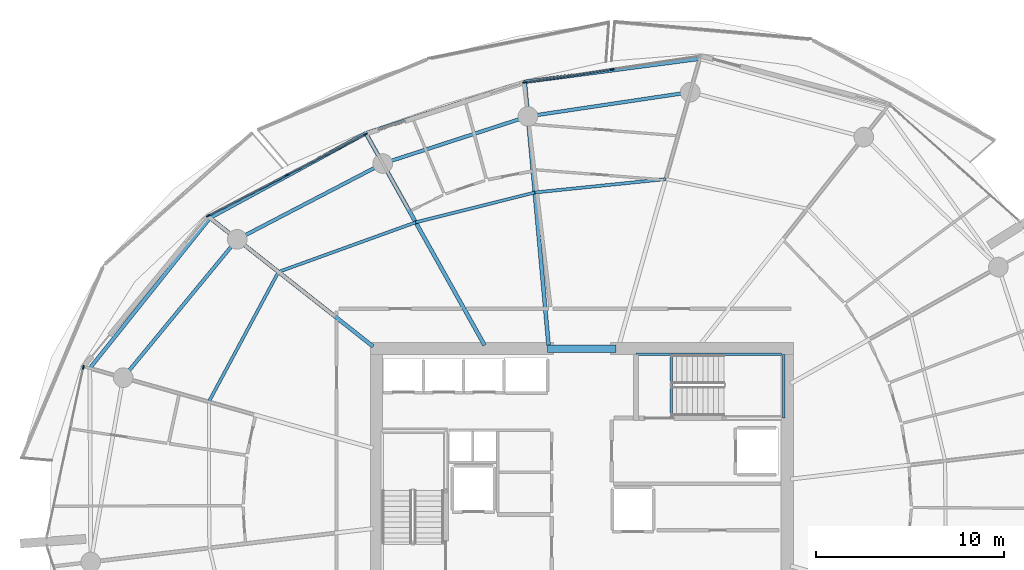
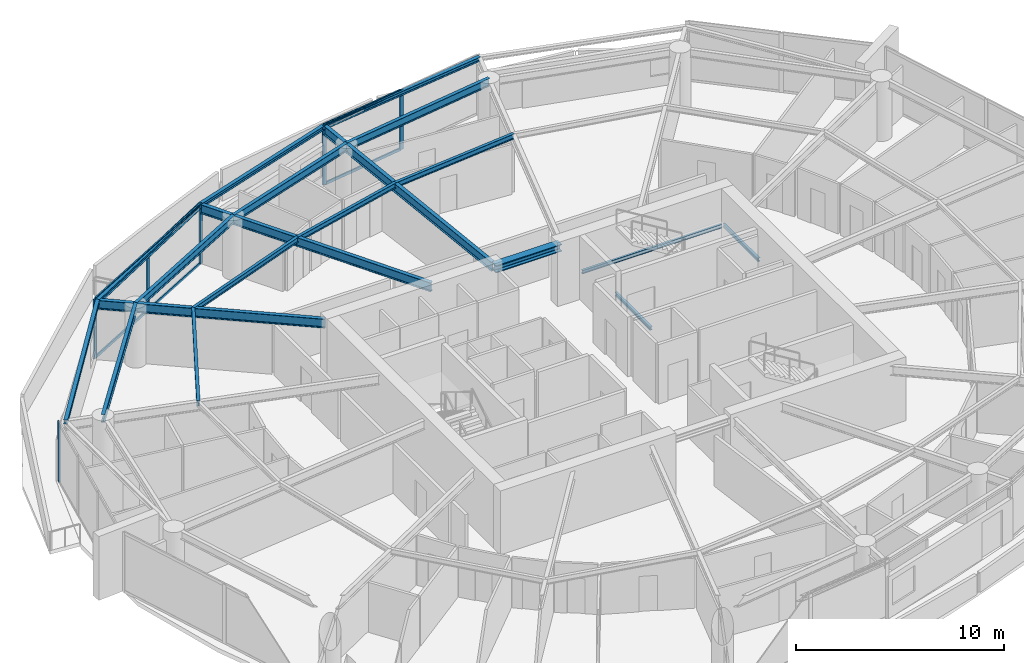
# One storey, part 8 of 20: 19 beams, 12 members, 3 elements without a shape of their own.
"""IFC4 building model written with IfcOpenShell, lengths in metres."""

from ifc_helpers import new_model, si_unit, direction, frame, origin, origin_2d, place, context, subcontext, project, spatial, rectangle, i_section, extrude, material, layer, layer_set, material_profile, profile_set, type_object, element, aggregate, save


model = new_model("IFC4")

# Units and contexts
model_context = context("Model", 3, precision=1e-05, world=origin(), true_north=direction((0.0, 1.0)))
body_context = subcontext(model_context, "Body", "Model", "MODEL_VIEW")
ifc_project = project(units=[si_unit("LENGTHUNIT", "METRE"), si_unit("AREAUNIT", "SQUARE_METRE"), si_unit("VOLUMEUNIT", "CUBIC_METRE"), si_unit("PLANEANGLEUNIT", "RADIAN"), si_unit("MASSUNIT", "GRAM", prefix="KILO")], contexts=[model_context])

# Site, building, storey
site_placement = place(None, origin())
site = spatial("IfcSite", under=ifc_project, at=site_placement, CompositionType="ELEMENT")
building_placement = place(site_placement, origin())
building = spatial("IfcBuilding", under=site, at=building_placement, Name="Kazma Halo Residences", CompositionType="ELEMENT")
storey_placement = place(building_placement, frame((0.0, 0.0, 210.300048828125)))
storey = spatial("IfcBuildingStorey", under=building, at=storey_placement, Name="L53", CompositionType="ELEMENT", Elevation=210.300048828125)

# Beams
ifc_material_1 = material(Name="Steel S355", Category="steel")
ifc_material_profile_1 = material_profile(ifc_material_1, i_section(OverallWidth=0.201904296875, OverallDepth=0.2470703125, WebThickness=0.00732421875, FlangeThickness=0.010986328125, FilletRadius=0.011962890625, at=origin_2d()), Name="W250x49.1")
ifc_profile_set_1 = profile_set([ifc_material_profile_1], Name="Steel S355")
beam_type_1 = type_object("IfcBeamType", Name="BM-BAL-CANT", PredefinedType="BEAM", material=ifc_profile_set_1)
beam_1_placement = place(storey_placement, frame((54.70458984375, 65.772216796875, 3.37646484375), z_axis=(-0.991401891123, -0.130852169558, 0.0), x_axis=(0.130852169558, -0.991401891123, 0.0)))
element("IfcBeam", 1, at=beam_1_placement, inside=storey, type_object=beam_type_1, Name="L53 wave-balcony tie beam 03", PredefinedType="BEAM", context=body_context, shape_type="SweptSolid", body=[
    extrude(i_section(OverallWidth=0.201904296875, OverallDepth=0.2470703125, WebThickness=0.00732421875, FlangeThickness=0.010986328125, FilletRadius=0.011962890625, at=origin_2d()), origin(), (0.0, 0.0, 1.0), 9.401611328125),
])
beam_2_placement = place(storey_placement, frame((45.3837890625, 64.5419921875, 3.37646484375), z_axis=(-0.951434599458, -0.307850942753, 0.0), x_axis=(0.307850942753, -0.951434599458, 0.0)))
element("IfcBeam", 2, at=beam_2_placement, inside=storey, type_object=beam_type_1, Name="L53 wave-balcony tie beam 04", PredefinedType="BEAM", context=body_context, shape_type="SweptSolid", body=[
    extrude(i_section(OverallWidth=0.201904296875, OverallDepth=0.2470703125, WebThickness=0.00732421875, FlangeThickness=0.010986328125, FilletRadius=0.011962890625, at=origin_2d()), origin(), (0.0, 0.0, 1.0), 8.905029296875),
])
beam_3_placement = place(storey_placement, frame((36.9111328125, 61.800537109375, 3.37646484375), z_axis=(-0.878890557257, -0.477023467309, 0.0), x_axis=(0.477023467309, -0.878890557257, 0.0)))
element("IfcBeam", 3, at=beam_3_placement, inside=storey, type_object=beam_type_1, Name="L53 wave-balcony tie beam 05", PredefinedType="BEAM", context=body_context, shape_type="SweptSolid", body=[
    extrude(i_section(OverallWidth=0.201904296875, OverallDepth=0.2470703125, WebThickness=0.00732421875, FlangeThickness=0.010986328125, FilletRadius=0.011962890625, at=origin_2d()), origin(), (0.0, 0.0, 1.0), 9.452880859375),
])
beam_4_placement = place(storey_placement, frame((28.60302734375, 57.291259765625, 3.37646484375), z_axis=(-0.624195724924, -0.781268005864, 0.0), x_axis=(0.781268005864, -0.624195724924, 0.0)))
element("IfcBeam", 4, at=beam_4_placement, inside=storey, type_object=beam_type_1, Name="L53 wave-balcony tie beam 06", PredefinedType="BEAM", context=body_context, shape_type="SweptSolid", body=[
    extrude(i_section(OverallWidth=0.201904296875, OverallDepth=0.2470703125, WebThickness=0.00732421875, FlangeThickness=0.010986328125, FilletRadius=0.011962890625, at=origin_2d()), origin(), (0.0, 0.0, 1.0), 10.258544921875),
])
ifc_material_profile_2 = material_profile(ifc_material_1, i_section(OverallWidth=0.408935546875, OverallDepth=0.425048828125, WebThickness=0.03271484375, FlangeThickness=0.052490234375, FilletRadius=0.02001953125, at=origin_2d()), Name="W360x421")
ifc_profile_set_2 = profile_set([ifc_material_profile_2], Name="Steel S355")
beam_type_2 = type_object("IfcBeamType", Name="BM-CORE-W360H", PredefinedType="BEAM", material=ifc_profile_set_2)
beam_5_placement = place(storey_placement, frame((46.60009765625, 50.324951171875, 3.287353515625), z_axis=(1.0, 0.0, 0.0), x_axis=(0.0, 1.0, 0.0)))
element("IfcBeam", 5, at=beam_5_placement, inside=storey, type_object=beam_type_2, Name="L53 core coupling beam N", PredefinedType="BEAM", context=body_context, shape_type="SweptSolid", body=[
    extrude(i_section(OverallWidth=0.408935546875, OverallDepth=0.425048828125, WebThickness=0.03271484375, FlangeThickness=0.052490234375, FilletRadius=0.02001953125, at=origin_2d()), origin(), (0.0, 0.0, 1.0), 3.64990234375),
])
ifc_material_profile_3 = material_profile(ifc_material_1, i_section(OverallWidth=0.208984375, OverallDepth=0.532958984375, WebThickness=0.01025390625, FlangeThickness=0.015625, FilletRadius=0.01611328125, at=origin_2d()), Name="W530x92")
ifc_profile_set_3 = profile_set([ifc_material_profile_3], Name="Steel S355")
beam_type_3 = type_object("IfcBeamType", Name="BM-RAD-W530", PredefinedType="BEAM", material=ifc_profile_set_3)
beam_6_placement = place(storey_placement, frame((46.64990234375, 50.5, 3.2333984375), z_axis=(-0.089801911205, 0.995959646142, 0.0), x_axis=(-0.995959646142, -0.089801911205, 0.0)))
element("IfcBeam", 6, at=beam_6_placement, inside=storey, type_object=beam_type_3, Name="L53 radial floor beam 04", PredefinedType="BEAM", context=body_context, shape_type="SweptSolid", body=[
    extrude(i_section(OverallWidth=0.208984375, OverallDepth=0.532958984375, WebThickness=0.01025390625, FlangeThickness=0.015625, FilletRadius=0.01611328125, at=origin_2d()), origin(), (0.0, 0.0, 1.0), 14.098876953125),
])
beam_7_placement = place(storey_placement, frame((43.23974609375, 50.5, 3.2333984375), z_axis=(-0.488621736368, 0.872495729931, 0.0), x_axis=(-0.872495729931, -0.488621736368, 0.0)))
element("IfcBeam", 7, at=beam_7_placement, inside=storey, type_object=beam_type_3, Name="L53 radial floor beam 05", PredefinedType="BEAM", context=body_context, shape_type="SweptSolid", body=[
    extrude(i_section(OverallWidth=0.208984375, OverallDepth=0.532958984375, WebThickness=0.01025390625, FlangeThickness=0.015625, FilletRadius=0.01611328125, at=origin_2d()), origin(), (0.0, 0.0, 1.0), 12.951904296875),
])
beam_8_placement = place(storey_placement, frame((37.300048828125, 50.435302734375, 3.2333984375), z_axis=(-0.785326671572, 0.619081593102, 0.0), x_axis=(-0.619081593102, -0.785326671572, 0.0)))
element("IfcBeam", 8, at=beam_8_placement, inside=storey, type_object=beam_type_3, Name="L53 radial floor beam 06", PredefinedType="BEAM", context=body_context, shape_type="SweptSolid", body=[
    extrude(i_section(OverallWidth=0.208984375, OverallDepth=0.532958984375, WebThickness=0.01025390625, FlangeThickness=0.015625, FilletRadius=0.01611328125, at=origin_2d()), origin(), (0.0, 0.0, 1.0), 11.074462890625),
])
ifc_material_profile_4 = material_profile(ifc_material_1, i_section(OverallWidth=0.1650390625, OverallDepth=0.31005859375, WebThickness=0.005859375, FlangeThickness=0.009765625, FilletRadius=0.011962890625, at=origin_2d()), Name="W310x38.7")
ifc_profile_set_4 = profile_set([ifc_material_profile_4], Name="Steel S355")
beam_type_4 = type_object("IfcBeamType", Name="BM-SEC-W310B", PredefinedType="JOIST", material=ifc_profile_set_4)
beam_9_placement = place(storey_placement, frame((52.8955078125, 59.35791015625, 3.344970703125), z_axis=(-0.994813898595, -0.101711883088, 0.0), x_axis=(0.101711883088, -0.994813898595, 0.0)))
element("IfcBeam", 9, at=beam_9_placement, inside=storey, type_object=beam_type_4, Name="L53 circumferential floor joist 03", PredefinedType="JOIST", context=body_context, shape_type="SweptSolid", body=[
    extrude(i_section(OverallWidth=0.1650390625, OverallDepth=0.31005859375, WebThickness=0.005859375, FlangeThickness=0.009765625, FilletRadius=0.011962890625, at=origin_2d()), origin(), (0.0, 0.0, 1.0), 7.01611328125),
])
beam_10_placement = place(storey_placement, frame((45.915771484375, 58.644287109375, 3.344970703125), z_axis=(-0.970019458253, -0.243027263102, 0.0), x_axis=(0.243027263102, -0.970019458253, 0.0)))
element("IfcBeam", 10, at=beam_10_placement, inside=storey, type_object=beam_type_4, Name="L53 circumferential floor joist 04", PredefinedType="JOIST", context=body_context, shape_type="SweptSolid", body=[
    extrude(i_section(OverallWidth=0.1650390625, OverallDepth=0.31005859375, WebThickness=0.005859375, FlangeThickness=0.009765625, FilletRadius=0.011962890625, at=origin_2d()), origin(), (0.0, 0.0, 1.0), 6.542724609375),
])
beam_11_placement = place(storey_placement, frame((39.569091796875, 57.05419921875, 3.344970703125), z_axis=(-0.940484507564, -0.339836565177, 0.0), x_axis=(0.339836565177, -0.940484507564, 0.0)))
element("IfcBeam", 11, at=beam_11_placement, inside=storey, type_object=beam_type_4, Name="L53 circumferential floor joist 05", PredefinedType="JOIST", context=body_context, shape_type="SweptSolid", body=[
    extrude(i_section(OverallWidth=0.1650390625, OverallDepth=0.31005859375, WebThickness=0.005859375, FlangeThickness=0.009765625, FilletRadius=0.011962890625, at=origin_2d()), origin(), (0.0, 0.0, 1.0), 7.776123046875),
])
beam_12_placement = place(storey_placement, frame((32.255859375, 54.41162109375, 3.344970703125), z_axis=(-0.472683532566, -0.881232249774, 0.0), x_axis=(0.881232249774, -0.472683532566, 0.0)))
element("IfcBeam", 12, at=beam_12_placement, inside=storey, type_object=beam_type_4, Name="L53 circumferential floor joist 06", PredefinedType="JOIST", context=body_context, shape_type="SweptSolid", body=[
    extrude(i_section(OverallWidth=0.1650390625, OverallDepth=0.31005859375, WebThickness=0.005859375, FlangeThickness=0.009765625, FilletRadius=0.011962890625, at=origin_2d()), origin(), (0.0, 0.0, 1.0), 7.85693359375),
])
ifc_material_profile_5 = material_profile(ifc_material_1, i_section(OverallWidth=0.18994140625, OverallDepth=0.45703125, WebThickness=0.009033203125, FlangeThickness=0.014404296875, FilletRadius=0.01611328125, at=origin_2d()), Name="W460x74")
ifc_profile_set_5 = profile_set([ifc_material_profile_5], Name="Steel S355")
beam_type_5 = type_object("IfcBeamType", Name="BM-SPN-W460", PredefinedType="BEAM", material=ifc_profile_set_5)
beam_13_placement = place(storey_placement, frame((54.202392578125, 63.99169921875, 3.271484375), z_axis=(-0.98903439143, -0.147685383732, 0.0), x_axis=(0.147685383732, -0.98903439143, 0.0)))
element("IfcBeam", 13, at=beam_13_placement, inside=storey, type_object=beam_type_5, Name="L53 perimeter ring beam 03", PredefinedType="BEAM", context=body_context, shape_type="SweptSolid", body=[
    extrude(i_section(OverallWidth=0.18994140625, OverallDepth=0.45703125, WebThickness=0.009033203125, FlangeThickness=0.014404296875, FilletRadius=0.01611328125, at=origin_2d()), origin(), (0.0, 0.0, 1.0), 8.748291015625),
])
beam_14_placement = place(storey_placement, frame((45.550048828125, 62.69970703125, 3.271484375), z_axis=(-0.951048627281, -0.30904127321, 0.0), x_axis=(0.30904127321, -0.951048627281, 0.0)))
element("IfcBeam", 14, at=beam_14_placement, inside=storey, type_object=beam_type_5, Name="L53 perimeter ring beam 04", PredefinedType="BEAM", context=body_context, shape_type="SweptSolid", body=[
    extrude(i_section(OverallWidth=0.18994140625, OverallDepth=0.45703125, WebThickness=0.009033203125, FlangeThickness=0.014404296875, FilletRadius=0.01611328125, at=origin_2d()), origin(), (0.0, 0.0, 1.0), 8.133056640625),
])
beam_15_placement = place(storey_placement, frame((37.815185546875, 60.186279296875, 3.271484375), z_axis=(-0.886961243394, -0.461843861838, 0.0), x_axis=(0.461843861838, -0.886961243394, 0.0)))
element("IfcBeam", 15, at=beam_15_placement, inside=storey, type_object=beam_type_5, Name="L53 perimeter ring beam 05", PredefinedType="BEAM", context=body_context, shape_type="SweptSolid", body=[
    extrude(i_section(OverallWidth=0.18994140625, OverallDepth=0.45703125, WebThickness=0.009033203125, FlangeThickness=0.014404296875, FilletRadius=0.01611328125, at=origin_2d()), origin(), (0.0, 0.0, 1.0), 8.748046875),
])
beam_16_placement = place(storey_placement, frame((30.055908203125, 56.14599609375, 3.271484375), z_axis=(-0.63601715545, -0.771674917289, 0.0), x_axis=(0.771674917289, -0.63601715545, 0.0)))
element("IfcBeam", 16, at=beam_16_placement, inside=storey, type_object=beam_type_5, Name="L53 perimeter ring beam 06", PredefinedType="BEAM", context=body_context, shape_type="SweptSolid", body=[
    extrude(i_section(OverallWidth=0.18994140625, OverallDepth=0.45703125, WebThickness=0.009033203125, FlangeThickness=0.014404296875, FilletRadius=0.01611328125, at=origin_2d()), origin(), (0.0, 0.0, 1.0), 9.552734375),
])
ifc_material_profile_6 = material_profile(ifc_material_1, i_section(OverallWidth=0.133056640625, OverallDepth=0.20703125, WebThickness=0.005859375, FlangeThickness=0.00830078125, FilletRadius=0.010009765625, at=origin_2d()), Name="W200x26.6")
ifc_profile_set_6 = profile_set([ifc_material_profile_6], Name="Steel S355")
beam_type_6 = type_object("IfcBeamType", Name="BM-TRIM-W200", PredefinedType="BEAM", material=ifc_profile_set_6)
beam_17_placement = place(storey_placement, frame((53.199951171875, 46.6201171875, -0.360107421875), z_axis=(0.0, 1.0, 0.0), x_axis=(-1.0, 0.0, 0.0)))
element("IfcBeam", 17, at=beam_17_placement, inside=storey, type_object=beam_type_6, Name="L53 ST-02 floor landing support beam", PredefinedType="BEAM", context=body_context, shape_type="SweptSolid", body=[
    extrude(i_section(OverallWidth=0.133056640625, OverallDepth=0.20703125, WebThickness=0.005859375, FlangeThickness=0.00830078125, FilletRadius=0.010009765625, at=origin_2d()), origin(), (0.0, 0.0, 1.0), 3.3798828125),
])
beam_18_placement = place(storey_placement, frame((51.31005859375, 50.02001953125, 1.570068359375), z_axis=(1.0, 0.0, 0.0), x_axis=(0.0, 1.0, 0.0)))
element("IfcBeam", 18, at=beam_18_placement, inside=storey, type_object=beam_type_6, Name="L53 ST-02 landing north wall ledger", PredefinedType="BEAM", context=body_context, shape_type="SweptSolid", body=[
    extrude(i_section(OverallWidth=0.133056640625, OverallDepth=0.20703125, WebThickness=0.005859375, FlangeThickness=0.00830078125, FilletRadius=0.010009765625, at=origin_2d()), origin(), (0.0, 0.0, 1.0), 7.760009765625),
])
beam_19_placement = place(storey_placement, frame((59.18994140625, 46.6201171875, 1.570068359375), z_axis=(0.0, 1.0, 0.0), x_axis=(-1.0, 0.0, 0.0)))
element("IfcBeam", 19, at=beam_19_placement, inside=storey, type_object=beam_type_6, Name="L53 ST-02 landing end wall ledger", PredefinedType="BEAM", context=body_context, shape_type="SweptSolid", body=[
    extrude(i_section(OverallWidth=0.133056640625, OverallDepth=0.20703125, WebThickness=0.005859375, FlangeThickness=0.00830078125, FilletRadius=0.010009765625, at=origin_2d()), origin(), (0.0, 0.0, 1.0), 3.39990234375),
])

# Curtain wall, members
ifc_material_2 = material(Name="Aluminium AW-6063 T6 and Triple-Silver Low-E Glass", Category="aluminium")
ifc_layer = layer(ifc_material_2, 0.219970703125)
ifc_layer_set = layer_set([ifc_layer], Name="Aluminium AW-6063 T6 and Triple-Silver Low-E Glass")
curtain_wall_type = type_object("IfcCurtainWallType", Name="CW-SYS-4", PredefinedType="NOTDEFINED", material=ifc_layer_set)
curtain_wall_1_placement = place(storey_placement, origin())
curtain_wall_1 = element("IfcCurtainWall", 20, at=curtain_wall_1_placement, inside=storey, type_object=curtain_wall_type, Name="L53 unitised curtain wall B03", PredefinedType="NOTDEFINED")
ifc_material_3 = material(Name="Aluminium AW-6063 T6", Category="aluminium")
ifc_material_profile_7 = material_profile(ifc_material_3, rectangle(XDim=0.074951171875, YDim=0.219970703125, at=origin_2d()), Name="CWM-75x220")
ifc_profile_set_7 = profile_set([ifc_material_profile_7], Name="Aluminium AW-6063 T6")
member_type_1 = type_object("IfcMemberType", Name="CW-SYS-4-MUL", PredefinedType="MULLION", material=ifc_profile_set_7)
member_1_placement = place(storey_placement, frame((50.041259765625, 65.211181640625, 0.0), z_axis=(0.0, 0.0, 1.0), x_axis=(0.148772639188, -0.988871428361, 0.0)))
member_1 = element("IfcMember", 21, at=member_1_placement, type_object=member_type_1, Name="CWS-4 mullion 2", PredefinedType="MULLION", context=body_context, shape_type="SweptSolid", body=[
    extrude(rectangle(XDim=0.074951171875, YDim=0.219970703125, at=origin_2d()), origin(), (0.0, 0.0, 1.0), 3.5),
])
member_2_placement = place(storey_placement, frame((45.373779296875, 64.509033203125, 0.0), z_axis=(0.0, 0.0, 1.0), x_axis=(0.148772639188, -0.988871428361, 0.0)))
member_2 = element("IfcMember", 22, at=member_2_placement, type_object=member_type_1, Name="CWS-4 mullion 3", PredefinedType="MULLION", context=body_context, shape_type="SweptSolid", body=[
    extrude(rectangle(XDim=0.074951171875, YDim=0.219970703125, at=origin_2d()), origin(), (0.0, 0.0, 1.0), 3.5),
])

curtain_wall_2_placement = place(storey_placement, origin())
curtain_wall_2 = element("IfcCurtainWall", 23, at=curtain_wall_2_placement, inside=storey, type_object=curtain_wall_type, Name="L53 unitised curtain wall B05", PredefinedType="NOTDEFINED")
member_3_placement = place(storey_placement, frame((36.894287109375, 61.75390625, 0.0), z_axis=(0.0, 0.0, 1.0), x_axis=(0.460873851097, -0.887465657575, 0.0)))
member_3 = element("IfcMember", 24, at=member_3_placement, type_object=member_type_1, Name="CWS-4 mullion 1", PredefinedType="MULLION", context=body_context, shape_type="SweptSolid", body=[
    extrude(rectangle(XDim=0.074951171875, YDim=0.219970703125, at=origin_2d()), origin(), (0.0, 0.0, 1.0), 3.5),
])
member_4_placement = place(storey_placement, frame((32.705322265625, 59.578369140625, 0.0), z_axis=(0.0, 0.0, 1.0), x_axis=(0.460873851097, -0.887465657575, 0.0)))
member_4 = element("IfcMember", 25, at=member_4_placement, type_object=member_type_1, Name="CWS-4 mullion 2", PredefinedType="MULLION", context=body_context, shape_type="SweptSolid", body=[
    extrude(rectangle(XDim=0.074951171875, YDim=0.219970703125, at=origin_2d()), origin(), (0.0, 0.0, 1.0), 3.5),
])
member_5_placement = place(storey_placement, frame((28.5166015625, 57.403076171875, 0.0), z_axis=(0.0, 0.0, 1.0), x_axis=(0.460873851097, -0.887465657575, 0.0)))
member_5 = element("IfcMember", 26, at=member_5_placement, type_object=member_type_1, Name="CWS-4 mullion 3", PredefinedType="MULLION", context=body_context, shape_type="SweptSolid", body=[
    extrude(rectangle(XDim=0.074951171875, YDim=0.219970703125, at=origin_2d()), origin(), (0.0, 0.0, 1.0), 3.5),
])

# Curtain wall, member
curtain_wall_3_placement = place(storey_placement, origin())
curtain_wall_3 = element("IfcCurtainWall", 27, at=curtain_wall_3_placement, inside=storey, type_object=curtain_wall_type, Name="L53 unitised curtain wall B07", PredefinedType="NOTDEFINED")
member_6_placement = place(storey_placement, frame((21.8564453125, 49.334228515625, 0.0), z_axis=(0.0, 0.0, 1.0), x_axis=(0.977768017212, -0.209689543175, 0.0)))
member_6 = element("IfcMember", 28, at=member_6_placement, type_object=member_type_1, Name="CWS-4 mullion 1", PredefinedType="MULLION", context=body_context, shape_type="SweptSolid", body=[
    extrude(rectangle(XDim=0.074951171875, YDim=0.219970703125, at=origin_2d()), origin(), (0.0, 0.0, 1.0), 3.5),
])
aggregate(curtain_wall_3, [member_6])

# Member
ifc_material_profile_8 = material_profile(ifc_material_3, rectangle(XDim=0.074951171875, YDim=0.1650390625, at=origin_2d()), Name="CWT-75x165")
ifc_profile_set_8 = profile_set([ifc_material_profile_8], Name="Aluminium AW-6063 T6")
member_type_2 = type_object("IfcMemberType", Name="CW-SYS-4-TRN", PredefinedType="USERDEFINED", material=ifc_profile_set_8)
member_7_placement = place(storey_placement, frame((50.004150390625, 65.20556640625, 0.037353515625), z_axis=(-0.988876518566, -0.148738801357, 0.0), x_axis=(0.148738801357, -0.988876518566, 0.0)))
member_7 = element("IfcMember", 29, at=member_7_placement, type_object=member_type_2, Name="CWS-4 transom 2.1", ObjectType="TRANSOM", PredefinedType="USERDEFINED", context=body_context, shape_type="SweptSolid", body=[
    extrude(rectangle(XDim=0.074951171875, YDim=0.1650390625, at=origin_2d()), origin(), (0.0, 0.0, 1.0), 4.645263671875),
])

member_8_placement = place(storey_placement, frame((50.004150390625, 65.20556640625, 3.46240234375), z_axis=(-0.988876518566, -0.148738801357, 0.0), x_axis=(0.148738801357, -0.988876518566, 0.0)))
member_8 = element("IfcMember", 30, at=member_8_placement, type_object=member_type_2, Name="CWS-4 transom 2.2", ObjectType="TRANSOM", PredefinedType="USERDEFINED", context=body_context, shape_type="SweptSolid", body=[
    extrude(rectangle(XDim=0.074951171875, YDim=0.1650390625, at=origin_2d()), origin(), (0.0, 0.0, 1.0), 4.645263671875),
])

aggregate(curtain_wall_1, [member_1, member_2, member_7, member_8])

member_9_placement = place(storey_placement, frame((36.861083984375, 61.736572265625, 0.037353515625), z_axis=(-0.887457630519, -0.460889307789, 0.0), x_axis=(0.460889307789, -0.887457630519, 0.0)))
member_9 = element("IfcMember", 31, at=member_9_placement, type_object=member_type_2, Name="CWS-4 transom 1.1", ObjectType="TRANSOM", PredefinedType="USERDEFINED", context=body_context, shape_type="SweptSolid", body=[
    extrude(rectangle(XDim=0.074951171875, YDim=0.1650390625, at=origin_2d()), origin(), (0.0, 0.0, 1.0), 4.64501953125),
])

member_10_placement = place(storey_placement, frame((36.861083984375, 61.736572265625, 3.46240234375), z_axis=(-0.887457630519, -0.460889307789, 0.0), x_axis=(0.460889307789, -0.887457630519, 0.0)))
member_10 = element("IfcMember", 32, at=member_10_placement, type_object=member_type_2, Name="CWS-4 transom 1.2", ObjectType="TRANSOM", PredefinedType="USERDEFINED", context=body_context, shape_type="SweptSolid", body=[
    extrude(rectangle(XDim=0.074951171875, YDim=0.1650390625, at=origin_2d()), origin(), (0.0, 0.0, 1.0), 4.64501953125),
])

member_11_placement = place(storey_placement, frame((32.672119140625, 59.561279296875, 0.037353515625), z_axis=(-0.887457630519, -0.460889307789, 0.0), x_axis=(0.460889307789, -0.887457630519, 0.0)))
member_11 = element("IfcMember", 33, at=member_11_placement, type_object=member_type_2, Name="CWS-4 transom 2.1", ObjectType="TRANSOM", PredefinedType="USERDEFINED", context=body_context, shape_type="SweptSolid", body=[
    extrude(rectangle(XDim=0.074951171875, YDim=0.1650390625, at=origin_2d()), origin(), (0.0, 0.0, 1.0), 4.64501953125),
])

member_12_placement = place(storey_placement, frame((32.672119140625, 59.561279296875, 3.46240234375), z_axis=(-0.887457630519, -0.460889307789, 0.0), x_axis=(0.460889307789, -0.887457630519, 0.0)))
member_12 = element("IfcMember", 34, at=member_12_placement, type_object=member_type_2, Name="CWS-4 transom 2.2", ObjectType="TRANSOM", PredefinedType="USERDEFINED", context=body_context, shape_type="SweptSolid", body=[
    extrude(rectangle(XDim=0.074951171875, YDim=0.1650390625, at=origin_2d()), origin(), (0.0, 0.0, 1.0), 4.64501953125),
])

aggregate(curtain_wall_2, [member_3, member_4, member_5, member_9, member_10, member_11, member_12])

save(model, "model.ifc")
